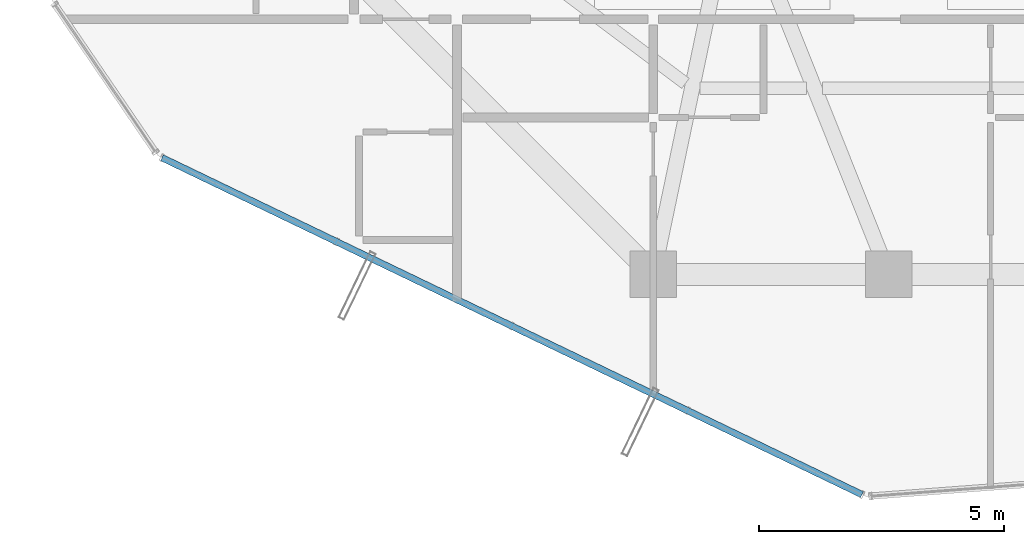
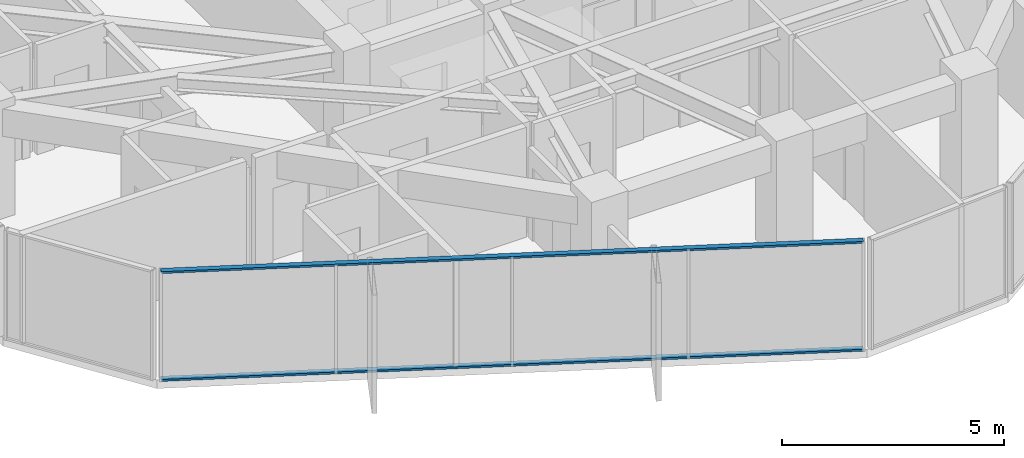
# One storey, part 3 of 34: 2 members, 1 element without a shape of its own.
"""IFC4 building model written with IfcOpenShell, lengths in metres."""

from ifc_helpers import new_model, si_unit, direction, frame, origin, origin_2d, place, context, subcontext, project, spatial, hollow_rectangle, extrude, source, transform, mapped, material, layer, layer_set, material_profile, profile_set, type_object, element, aggregate, save


model = new_model("IFC4")

# Units and contexts
model_context = context("Model", 3, precision=1e-05, world=origin(), true_north=direction((0.0, 1.0)))
body_context = subcontext(model_context, "Body", "Model", "MODEL_VIEW")
ifc_project = project(units=[si_unit("LENGTHUNIT", "METRE"), si_unit("AREAUNIT", "SQUARE_METRE"), si_unit("VOLUMEUNIT", "CUBIC_METRE"), si_unit("PLANEANGLEUNIT", "RADIAN"), si_unit("MASSUNIT", "GRAM", prefix="KILO")], contexts=[model_context])

# Site, building, storey
site_placement = place(None, origin())
site = spatial("IfcSite", under=ifc_project, at=site_placement, CompositionType="ELEMENT")
building_placement = place(site_placement, origin())
building = spatial("IfcBuilding", under=site, at=building_placement, Name="Veraguas Prism Commons", CompositionType="ELEMENT")
storey_placement = place(building_placement, frame((0.0, 0.0, 191.85009765625)))
storey = spatial("IfcBuildingStorey", under=building, at=storey_placement, Name="L54", CompositionType="ELEMENT", Elevation=191.85009765625)

# Curtain wall, members
ifc_material = material(Name="Anodised aluminium EN AW-6063 T6", Category="aluminium")
ifc_layer = layer(ifc_material, 0.14990234375, Name="Unitised Flush Curtain Wall Zone 3", Category="aluminium")
ifc_layer_set = layer_set([ifc_layer], Name="Anodised aluminium EN AW-6063 T6")
curtain_wall_type = type_object("IfcCurtainWallType", Name="Unitised Flush Curtain Wall Zone 3", PredefinedType="NOTDEFINED", material=ifc_layer_set)
curtain_wall_placement = place(storey_placement, origin())
curtain_wall = element("IfcCurtainWall", 1, at=curtain_wall_placement, inside=storey, type_object=curtain_wall_type, Name="Tower Facade Curtain Wall L54-F4", PredefinedType="NOTDEFINED")
ifc_material_profile = material_profile(ifc_material, hollow_rectangle(XDim=0.054931640625, YDim=0.135009765625, WallThickness=0.0029296875, at=origin_2d()), Name="AL55X135X3")
ifc_profile_set = profile_set([ifc_material_profile], Name="Anodised aluminium EN AW-6063 T6")
member_type = type_object("IfcMemberType", Name="Curtain Wall Transom Standard AL 55x135x3", PredefinedType="USERDEFINED", material=ifc_profile_set)
shared_shape = source(origin(), body_context, "Body", "SweptSolid", [
    extrude(hollow_rectangle(XDim=0.054931640625, YDim=0.135009765625, WallThickness=0.0029296875, at=origin_2d()), origin(), (0.0, 0.0, 1.0), 15.84228515625),
])
member_1_placement = place(storey_placement, frame((9.18212890625, 11.476806640625, 0.02734375), z_axis=(0.901078177174, -0.433656682897, 0.0), x_axis=(0.0, 0.0, 1.0)))
member_1 = element("IfcMember", 2, at=member_1_placement, type_object=member_type, Name="CW-Z3 Transom 1", ObjectType="TRANSOM", PredefinedType="USERDEFINED", context=body_context, shape_type="MappedRepresentation", body=[
    mapped(shared_shape, transform((0.0, 0.0, 0.0), scale=1.0)),
])
member_2_placement = place(storey_placement, frame((9.18212890625, 11.476806640625, 2.9873046875), z_axis=(0.901078177174, -0.433656682897, 0.0), x_axis=(0.0, 0.0, 1.0)))
member_2 = element("IfcMember", 3, at=member_2_placement, type_object=member_type, Name="CW-Z3 Transom 2", ObjectType="TRANSOM", PredefinedType="USERDEFINED", context=body_context, shape_type="MappedRepresentation", body=[
    mapped(shared_shape, transform((0.0, 0.0, 0.0), scale=1.0)),
])
aggregate(curtain_wall, [member_1, member_2])

save(model, "model.ifc")
